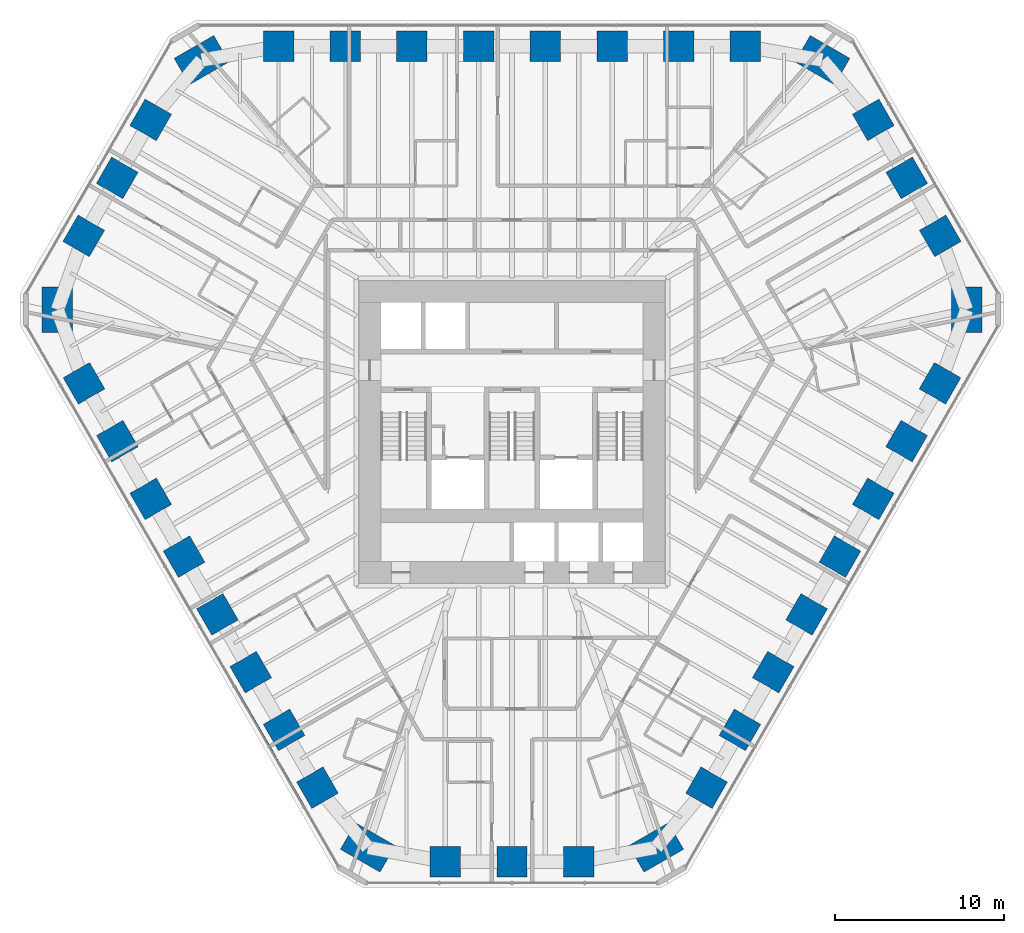
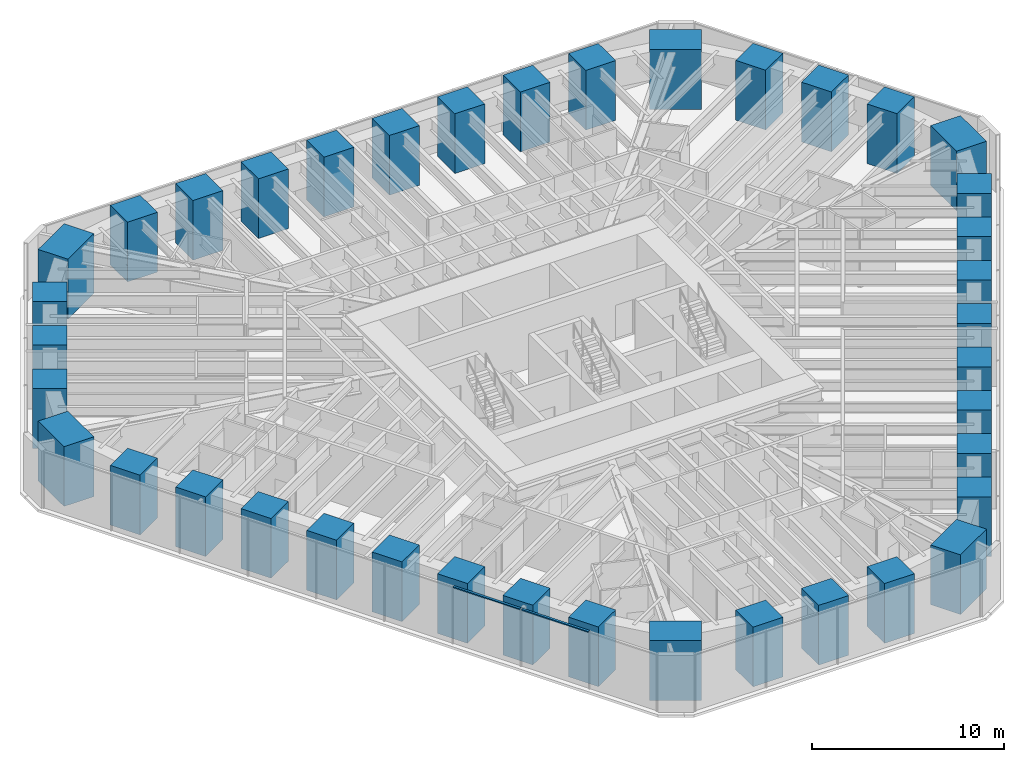
# One storey, part 1 of 17: 39 columns, 2 members, 1 element without a shape of its own.
"""IFC4 building model written with IfcOpenShell, lengths in metres."""

from ifc_helpers import new_model, si_unit, direction, frame, origin, origin_2d, place, context, subcontext, project, spatial, rectangle, extrude, material, material_profile, profile_set, type_object, element, aggregate, save


model = new_model("IFC4")

# Units and contexts
model_context = context("Model", 3, precision=1e-05, world=origin(), true_north=direction((0.0, 1.0)))
body_context = subcontext(model_context, "Body", "Model", "MODEL_VIEW")
ifc_project = project(units=[si_unit("LENGTHUNIT", "METRE"), si_unit("AREAUNIT", "SQUARE_METRE"), si_unit("VOLUMEUNIT", "CUBIC_METRE"), si_unit("PLANEANGLEUNIT", "RADIAN"), si_unit("MASSUNIT", "GRAM", prefix="KILO")], contexts=[model_context])

# Site, building, storey
site_placement = place(None, origin())
site = spatial("IfcSite", under=ifc_project, at=site_placement, CompositionType="ELEMENT")
building_placement = place(site_placement, origin())
building = spatial("IfcBuilding", under=site, at=building_placement, Name="Sandreach Pilgrim Tower", CompositionType="ELEMENT")
storey_placement = place(building_placement, frame((0.0, 0.0, 108.199951171875)))
storey = spatial("IfcBuildingStorey", under=building, at=storey_placement, Name="L26", CompositionType="ELEMENT", Elevation=108.199951171875)

# Columns
ifc_material_1 = material(Name="Concrete 10000 psi", Category="concrete")
ifc_material_profile_1 = material_profile(ifc_material_1, rectangle(XDim=1.800048828125, YDim=1.800048828125, at=origin_2d()), Name="RC1800X1800")
ifc_profile_set_1 = profile_set([ifc_material_profile_1], Name="Concrete 10000 psi")
column_type_1 = type_object("IfcColumnType", Name="Tube column RC1800X1800", PredefinedType="COLUMN", material=ifc_profile_set_1)
for number, where, z_axis, x_axis, name in (
    (1, (-13.789794921875, 21.23388671875, 0.0), (0.0, 0.0, 1.0), (0.0, 1.0, 0.0), "COL L26 T01"),
    (2, (-9.849853515625, 21.23388671875, 0.0), (0.0, 0.0, 1.0), (0.0, 1.0, 0.0), "COL L26 T02"),
    (3, (-5.909912109375, 21.23388671875, 0.0), (0.0, 0.0, 1.0), (0.0, 1.0, 0.0), "COL L26 T03"),
    (4, (-1.969970703125, 21.23388671875, 0.0), (0.0, 0.0, 1.0), (0.0, 1.0, 0.0), "COL L26 T04"),
    (5, (1.969970703125, 21.23388671875, 0.0), (0.0, 0.0, 1.0), (0.0, 1.0, 0.0), "COL L26 T05"),
    (6, (5.909912109375, 21.23388671875, 0.0), (0.0, 0.0, 1.0), (0.0, 1.0, 0.0), "COL L26 T06"),
    (7, (9.849853515625, 21.23388671875, 0.0), (0.0, 0.0, 1.0), (0.0, 1.0, 0.0), "COL L26 T07"),
    (8, (13.789794921875, 21.23388671875, 0.0), (0.0, 0.0, 1.0), (0.0, 1.0, 0.0), "COL L26 T08"),
    (9, (21.346435546875, 16.891357421875, 0.0), (0.0, 0.0, 1.0), (0.866025403784, 0.5, 0.0), "COL L26 T10"),
    (10, (23.323974609375, 13.466064453125, 0.0), (0.0, 0.0, 1.0), (0.866025403784, 0.5, 0.0), "COL L26 T11"),
    (11, (25.301513671875, 10.040771484375, 0.0), (0.0, 0.0, 1.0), (0.866025403784, 0.5, 0.0), "COL L26 T12"),
    (12, (25.283935546875, 1.325439453125, 0.0), (0.0, 0.0, 1.0), (0.866025403784, -0.5, 0.0), "COL L26 T14"),
    (13, (23.31396484375, -2.086669921875, 0.0), (0.0, 0.0, 1.0), (0.866025403784, -0.5, 0.0), "COL L26 T15"),
    (14, (21.343994140625, -5.498779296875, 0.0), (0.0, 0.0, 1.0), (0.866025403784, -0.5, 0.0), "COL L26 T16"),
    (15, (19.3740234375, -8.910888671875, 0.0), (0.0, 0.0, 1.0), (0.866025403784, -0.5, 0.0), "COL L26 T17"),
    (16, (17.404052734375, -12.322998046875, 0.0), (0.0, 0.0, 1.0), (0.866025403784, -0.5, 0.0), "COL L26 T18"),
    (17, (15.43408203125, -15.735107421875, 0.0), (0.0, 0.0, 1.0), (0.866025403784, -0.5, 0.0), "COL L26 T19"),
    (18, (13.464111328125, -19.147216796875, 0.0), (0.0, 0.0, 1.0), (0.866025403784, -0.5, 0.0), "COL L26 T20"),
    (19, (11.494140625, -22.559326171875, 0.0), (0.0, 0.0, 1.0), (0.866025403784, -0.5, 0.0), "COL L26 T21"),
    (20, (3.955322265625, -26.93212890625, 0.0), (0.0, 0.0, 1.0), (0.0, -1.0, 0.0), "COL L26 T23"),
    (21, (0.0, -26.93212890625, 0.0), (0.0, 0.0, 1.0), (0.0, -1.0, 0.0), "COL L26 T24"),
    (22, (-3.955322265625, -26.93212890625, 0.0), (0.0, 0.0, 1.0), (0.0, -1.0, 0.0), "COL L26 T25"),
    (23, (-11.494140625, -22.559326171875, 0.0), (0.0, 0.0, 1.0), (-0.866025403784, -0.5, 0.0), "COL L26 T27"),
    (24, (-13.464111328125, -19.147216796875, 0.0), (0.0, 0.0, 1.0), (-0.866025403784, -0.5, 0.0), "COL L26 T28"),
    (25, (-15.43408203125, -15.735107421875, 0.0), (0.0, 0.0, 1.0), (-0.866025403784, -0.5, 0.0), "COL L26 T29"),
    (26, (-17.404052734375, -12.322998046875, 0.0), (0.0, 0.0, 1.0), (-0.866025403784, -0.5, 0.0), "COL L26 T30"),
    (27, (-19.3740234375, -8.910888671875, 0.0), (0.0, 0.0, 1.0), (-0.866025403784, -0.5, 0.0), "COL L26 T31"),
    (28, (-21.343994140625, -5.498779296875, 0.0), (0.0, 0.0, 1.0), (-0.866025403784, -0.5, 0.0), "COL L26 T32"),
    (29, (-23.31396484375, -2.086669921875, 0.0), (0.0, 0.0, 1.0), (-0.866025403784, -0.5, 0.0), "COL L26 T33"),
    (30, (-25.283935546875, 1.325439453125, 0.0), (0.0, 0.0, 1.0), (-0.866025403784, -0.5, 0.0), "COL L26 T34"),
    (31, (-25.301513671875, 10.040771484375, 0.0), (0.0, 0.0, 1.0), (-0.866025403784, 0.5, 0.0), "COL L26 T36"),
    (32, (-23.323974609375, 13.466064453125, 0.0), (0.0, 0.0, 1.0), (-0.866025403784, 0.5, 0.0), "COL L26 T37"),
    (33, (-21.346435546875, 16.891357421875, 0.0), (0.0, 0.0, 1.0), (-0.866025403784, 0.5, 0.0), "COL L26 T38"),
):
    element("IfcColumn", number, at=place(storey_placement, frame(where, z_axis=z_axis, x_axis=x_axis)), inside=storey, type_object=column_type_1, Name=name, PredefinedType="COLUMN", context=body_context, shape_type="SweptSolid", body=[
        extrude(rectangle(XDim=1.800048828125, YDim=1.800048828125, at=origin_2d()), origin(), (0.0, 0.0, 1.0), 3.800048828125),
    ])
ifc_material_2 = material(Name="Concrete 10000 psi", Category="concrete")
ifc_material_profile_2 = material_profile(ifc_material_2, rectangle(XDim=1.800048828125, YDim=2.699951171875, at=origin_2d()), Name="RC1800X2700")
ifc_profile_set_2 = profile_set([ifc_material_profile_2], Name="Concrete 10000 psi")
column_type_2 = type_object("IfcColumnType", Name="Tube corner pier RC1800X2700", PredefinedType="COLUMN", material=ifc_profile_set_2)
for number, where, z_axis, x_axis, name in (
    (34, (18.33935546875, 20.423828125, 0.0), (0.0, 0.0, 1.0), (0.5, 0.866025403784, 0.0), "COL L26 T09"),
    (35, (26.857177734375, 5.67041015625, 0.0), (0.0, 0.0, 1.0), (1.0, 0.0, 0.0), "COL L26 T13"),
    (36, (8.517822265625, -26.09423828125, 0.0), (0.0, 0.0, 1.0), (0.5, -0.866025403784, 0.0), "COL L26 T22"),
    (37, (-8.517822265625, -26.09423828125, 0.0), (0.0, 0.0, 1.0), (-0.5, -0.866025403784, 0.0), "COL L26 T26"),
    (38, (-26.857177734375, 5.67041015625, 0.0), (0.0, 0.0, 1.0), (-1.0, 0.0, 0.0), "COL L26 T35"),
    (39, (-18.33935546875, 20.423828125, 0.0), (0.0, 0.0, 1.0), (-0.5, 0.866025403784, 0.0), "COL L26 T39"),
):
    element("IfcColumn", number, at=place(storey_placement, frame(where, z_axis=z_axis, x_axis=x_axis)), inside=storey, type_object=column_type_2, Name=name, PredefinedType="COLUMN", context=body_context, shape_type="SweptSolid", body=[
        extrude(rectangle(XDim=1.800048828125, YDim=2.699951171875, at=origin_2d()), origin(), (0.0, 0.0, 1.0), 3.800048828125),
    ])

# Curtain wall, members
ifc_material_3 = material(Name="Aluminium framed curtain wall", Category="aluminium")
curtain_wall_type = type_object("IfcCurtainWallType", Name="Hotel tower curtain wall", PredefinedType="NOTDEFINED", material=ifc_material_3)
curtain_wall_placement = place(storey_placement, origin())
curtain_wall = element("IfcCurtainWall", 40, at=curtain_wall_placement, inside=storey, type_object=curtain_wall_type, Name="CW-2 L26 SW", PredefinedType="NOTDEFINED")
ifc_material_4 = material(Name="Aluminium extrusion", Category="aluminium")
ifc_material_profile_3 = material_profile(ifc_material_4, rectangle(XDim=0.139892578125, YDim=0.070068359375, at=origin_2d()), Name="CW-2T 140X70")
ifc_profile_set_3 = profile_set([ifc_material_profile_3], Name="Aluminium extrusion")
member_type = type_object("IfcMemberType", Name="CW-2 transom", PredefinedType="USERDEFINED", material=ifc_profile_set_3)
member_1_placement = place(storey_placement, frame((-12.309326171875, -23.667236328125, 3.60498046875), z_axis=(-0.500023973715, 0.866011562111, 0.0), x_axis=(-0.866011562111, -0.500023973715, 0.0)))
member_1 = element("IfcMember", 41, at=member_1_placement, type_object=member_type, Name="CW-2 head transom 2", ObjectType="TRANSOM", PredefinedType="USERDEFINED", context=body_context, shape_type="SweptSolid", body=[
    extrude(rectangle(XDim=0.139892578125, YDim=0.070068359375, at=origin_2d()), origin(), (0.0, 0.0, 1.0), 4.041748046875),
])
member_2_placement = place(storey_placement, frame((-14.36279296875, -20.110595703125, 3.60498046875), z_axis=(-0.499997818338, 0.866026663364, 0.0), x_axis=(-0.866026663364, -0.499997818338, 0.0)))
member_2 = element("IfcMember", 42, at=member_2_placement, type_object=member_type, Name="CW-2 head transom 3", ObjectType="TRANSOM", PredefinedType="USERDEFINED", context=body_context, shape_type="SweptSolid", body=[
    extrude(rectangle(XDim=0.139892578125, YDim=0.070068359375, at=origin_2d()), origin(), (0.0, 0.0, 1.0), 4.0419921875),
])
aggregate(curtain_wall, [member_1, member_2])

save(model, "model.ifc")
